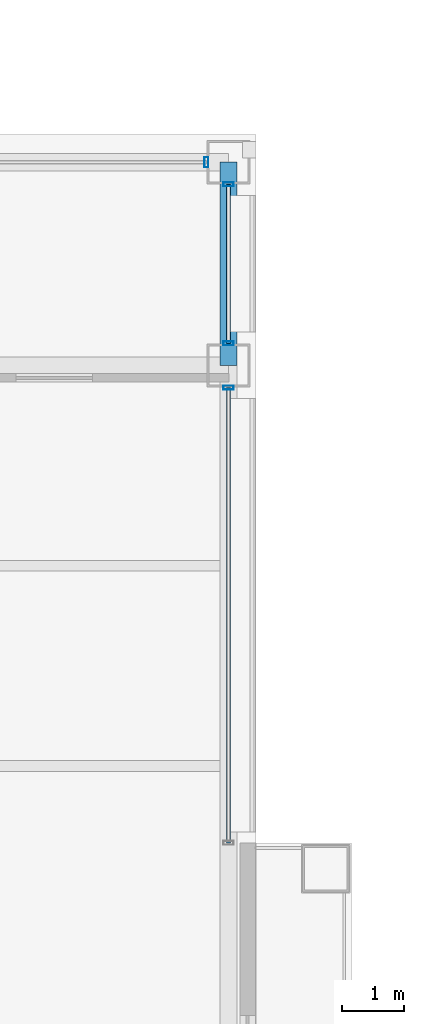
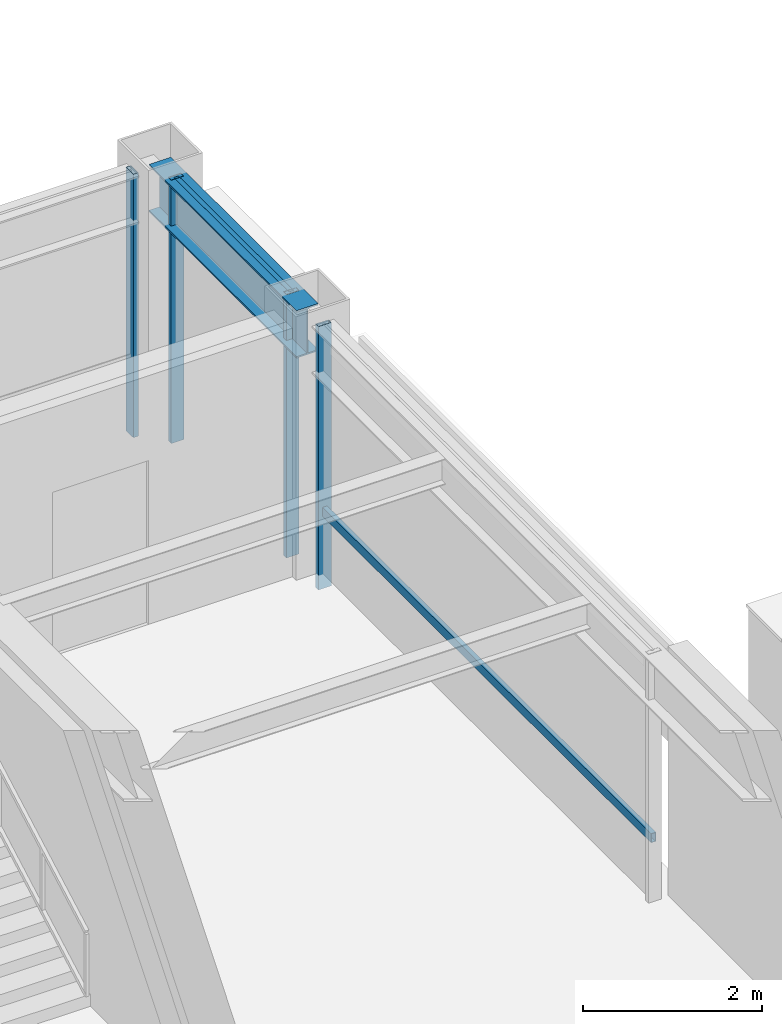
# One storey, part 18 of 28: 6 members, 1 beam, 3 elements without a shape of their own.
"""IFC4 building model written with IfcOpenShell, lengths in metres."""

from ifc_helpers import new_model, si_unit, direction, frame, origin, origin_2d, place, context, subcontext, project, spatial, hollow_rectangle, i_section, extrude, material, layer, layer_set, material_profile, profile_set, type_object, element, aggregate, save


model = new_model("IFC4")

# Units and contexts
model_context = context("Model", 3, precision=1e-05, world=origin(), true_north=direction((0.0, 1.0)))
body_context = subcontext(model_context, "Body", "Model", "MODEL_VIEW")
ifc_project = project(units=[si_unit("LENGTHUNIT", "METRE"), si_unit("AREAUNIT", "SQUARE_METRE"), si_unit("VOLUMEUNIT", "CUBIC_METRE"), si_unit("PLANEANGLEUNIT", "RADIAN"), si_unit("MASSUNIT", "GRAM", prefix="KILO")], contexts=[model_context])

# Site, building, storey
site_placement = place(None, origin())
site = spatial("IfcSite", under=ifc_project, at=site_placement, CompositionType="ELEMENT")
building_placement = place(site_placement, origin())
building = spatial("IfcBuilding", under=site, at=building_placement, Name="Brelmoor Portico Tower", CompositionType="ELEMENT")
storey_placement = place(building_placement, frame((0.0, 0.0, 191.10009765625)))
storey = spatial("IfcBuildingStorey", under=building, at=storey_placement, Name="L50", CompositionType="ELEMENT", Elevation=191.10009765625)

# Beam
ifc_material_1 = material(Name="Steel Q355B", Category="steel")
ifc_material_profile_1 = material_profile(ifc_material_1, i_section(OverallWidth=0.280029296875, OverallDepth=0.64990234375, WebThickness=0.012939453125, FlangeThickness=0.02197265625, at=origin_2d()), Name="HN 650x280x13x22")
ifc_profile_set_1 = profile_set([ifc_material_profile_1], Name="Steel Q355B")
beam_type = type_object("IfcBeamType", Name="BM-SP-650", PredefinedType="SPANDREL", material=ifc_profile_set_1)
beam_placement = place(storey_placement, frame((20.550048828125, 9.75, 3.074951171875), z_axis=(0.0, 1.0, 0.0), x_axis=(-1.0, 0.0, 0.0)))
element("IfcBeam", 1, at=beam_placement, inside=storey, type_object=beam_type, Name="L50 Perimeter Spandrel Beam SP-20", PredefinedType="SPANDREL", context=body_context, shape_type="SweptSolid", body=[
    extrude(i_section(OverallWidth=0.280029296875, OverallDepth=0.64990234375, WebThickness=0.012939453125, FlangeThickness=0.02197265625, at=origin_2d()), origin(), (0.0, 0.0, 1.0), 3.300048828125),
])

# Curtain wall, member
ifc_material_2 = material(Name="Anodised Aluminium Alloy 6063-T6", Category="aluminium")
ifc_layer_1 = layer(ifc_material_2, 0.179931640625)
ifc_layer_set_1 = layer_set([ifc_layer_1], Name="Anodised Aluminium Alloy 6063-T6")
curtain_wall_type_1 = type_object("IfcCurtainWallType", Name="CW-TOWER-Z3", PredefinedType="NOTDEFINED", material=ifc_layer_set_1)
curtain_wall_1_placement = place(storey_placement, origin())
curtain_wall_1 = element("IfcCurtainWall", 2, at=curtain_wall_1_placement, inside=storey, type_object=curtain_wall_type_1, Name="L50 Curtain Wall CW-L50-4R-1", PredefinedType="NOTDEFINED")
ifc_material_profile_2 = material_profile(ifc_material_2, hollow_rectangle(XDim=0.06494140625, YDim=0.1650390625, WallThickness=0.00390625, at=origin_2d()), Name="ALU MULLION 65x165")
ifc_profile_set_2 = profile_set([ifc_material_profile_2], Name="Anodised Aluminium Alloy 6063-T6")
member_type_1 = type_object("IfcMemberType", Name="MB-CW-MULL-165", PredefinedType="MULLION", material=ifc_profile_set_2)
member_1_placement = place(storey_placement, frame((20.550048828125, 9.389892578125, -0.2001953125), z_axis=(0.0, 0.0, 1.0), x_axis=(0.0, 1.0, 0.0)))
member_1 = element("IfcMember", 3, at=member_1_placement, type_object=member_type_1, Name="CW-L50-4R-1 Mullion 01", PredefinedType="MULLION", context=body_context, shape_type="SweptSolid", body=[
    extrude(hollow_rectangle(XDim=0.06494140625, YDim=0.1650390625, WallThickness=0.00390625, at=origin_2d()), origin(), (0.0, 0.0, 1.0), 3.60009765625),
])

# Curtain wall, members
ifc_layer_2 = layer(ifc_material_2, 0.179931640625)
ifc_layer_set_2 = layer_set([ifc_layer_2], Name="Anodised Aluminium Alloy 6063-T6")
curtain_wall_type_2 = type_object("IfcCurtainWallType", Name="CW-TOWER-Z3-XB", PredefinedType="NOTDEFINED", material=ifc_layer_set_2)
curtain_wall_2_placement = place(storey_placement, origin())
curtain_wall_2 = element("IfcCurtainWall", 4, at=curtain_wall_2_placement, inside=storey, type_object=curtain_wall_type_2, Name="L50 Curtain Wall CW-L50-4R-2", PredefinedType="NOTDEFINED")
member_2_placement = place(storey_placement, frame((20.550048828125, 10.110107421875, -0.2001953125), z_axis=(0.0, 0.0, 1.0), x_axis=(0.0, 1.0, 0.0)))
member_2 = element("IfcMember", 5, at=member_2_placement, type_object=member_type_1, Name="CW-L50-4R-2 Mullion 00", PredefinedType="MULLION", context=body_context, shape_type="SweptSolid", body=[
    extrude(hollow_rectangle(XDim=0.06494140625, YDim=0.1650390625, WallThickness=0.00390625, at=origin_2d()), origin(), (0.0, 0.0, 1.0), 3.60009765625),
])
member_3_placement = place(storey_placement, frame((20.550048828125, 12.68994140625, -0.2001953125), z_axis=(0.0, 0.0, 1.0), x_axis=(0.0, 1.0, 0.0)))
member_3 = element("IfcMember", 6, at=member_3_placement, type_object=member_type_1, Name="CW-L50-4R-2 Mullion 01", PredefinedType="MULLION", context=body_context, shape_type="SweptSolid", body=[
    extrude(hollow_rectangle(XDim=0.06494140625, YDim=0.1650390625, WallThickness=0.00390625, at=origin_2d()), origin(), (0.0, 0.0, 1.0), 3.60009765625),
])

# Curtain wall, member
ifc_layer_3 = layer(ifc_material_2, 0.179931640625)
ifc_layer_set_3 = layer_set([ifc_layer_3], Name="Anodised Aluminium Alloy 6063-T6")
curtain_wall_type_3 = type_object("IfcCurtainWallType", Name="CW-NOTCH-CHAMFER", PredefinedType="NOTDEFINED", material=ifc_layer_set_3)
curtain_wall_3_placement = place(storey_placement, origin())
curtain_wall_3 = element("IfcCurtainWall", 7, at=curtain_wall_3_placement, inside=storey, type_object=curtain_wall_type_3, Name="L50 Curtain Wall CWN-L50-NEH", PredefinedType="NOTDEFINED")
member_4_placement = place(storey_placement, frame((20.18994140625, 13.050048828125, -0.2001953125), z_axis=(0.0, 0.0, 1.0), x_axis=(1.0, 0.0, 0.0)))
member_4 = element("IfcMember", 8, at=member_4_placement, type_object=member_type_1, Name="CWN-L50-NEH Mullion 01", PredefinedType="MULLION", context=body_context, shape_type="SweptSolid", body=[
    extrude(hollow_rectangle(XDim=0.06494140625, YDim=0.1650390625, WallThickness=0.00390625, at=origin_2d()), origin(), (0.0, 0.0, 1.0), 3.60009765625),
])
aggregate(curtain_wall_3, [member_4])

# Member
ifc_material_profile_3 = material_profile(ifc_material_2, hollow_rectangle(XDim=0.06005859375, YDim=0.125, WallThickness=0.00341796875, at=origin_2d()), Name="ALU TRANSOM 60x125")
ifc_profile_set_3 = profile_set([ifc_material_profile_3], Name="Anodised Aluminium Alloy 6063-T6")
member_type_2 = type_object("IfcMemberType", Name="MB-CW-TRAN-125", PredefinedType="USERDEFINED", material=ifc_profile_set_3)
member_5_placement = place(storey_placement, frame((20.550048828125, 2.0, 0.849853515625), z_axis=(0.0, 1.0, 0.0), x_axis=(-1.0, 0.0, 0.0)))
member_5 = element("IfcMember", 9, at=member_5_placement, type_object=member_type_2, Name="CW-L50-4R-1 Transom 1-00", ObjectType="TRANSOM", PredefinedType="USERDEFINED", context=body_context, shape_type="SweptSolid", body=[
    extrude(hollow_rectangle(XDim=0.06005859375, YDim=0.125, WallThickness=0.00341796875, at=origin_2d()), origin(), (0.0, 0.0, 1.0), 7.389892578125),
])

aggregate(curtain_wall_1, [member_1, member_5])

member_6_placement = place(storey_placement, frame((20.550048828125, 10.110107421875, 3.33740234375), z_axis=(0.0, 1.0, 0.0), x_axis=(-1.0, 0.0, 0.0)))
member_6 = element("IfcMember", 10, at=member_6_placement, type_object=member_type_2, Name="CW-L50-4R-2 Transom 1-00", ObjectType="TRANSOM", PredefinedType="USERDEFINED", context=body_context, shape_type="SweptSolid", body=[
    extrude(hollow_rectangle(XDim=0.06005859375, YDim=0.125, WallThickness=0.00341796875, at=origin_2d()), origin(), (0.0, 0.0, 1.0), 2.579833984375),
])

aggregate(curtain_wall_2, [member_2, member_3, member_6])

save(model, "model.ifc")
